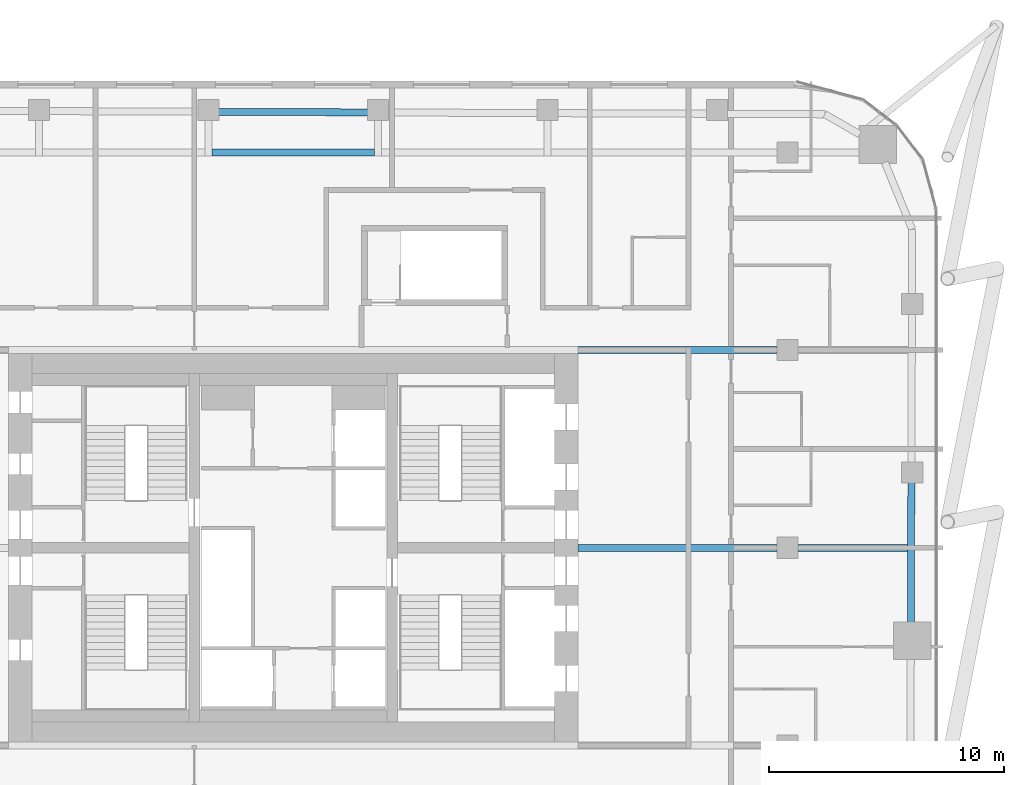
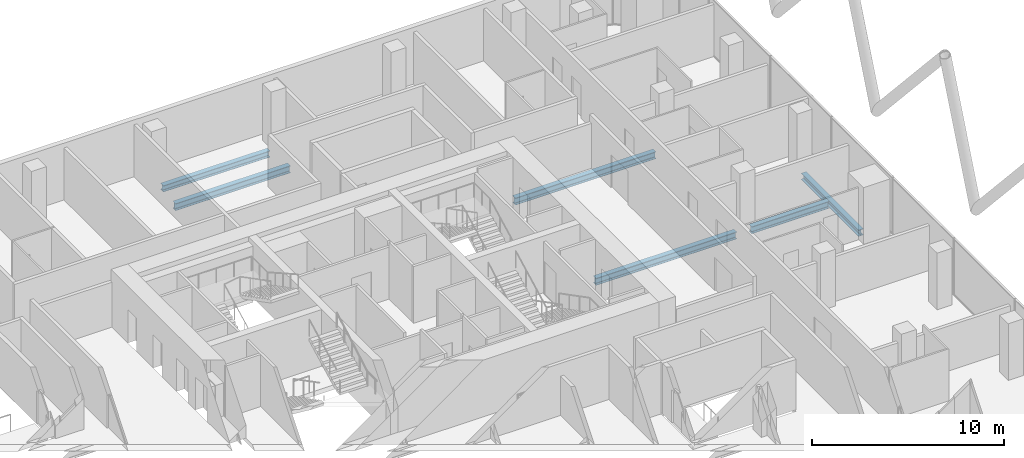
# One storey, part 13 of 34: 6 beams.
"""IFC4 building model written with IfcOpenShell, lengths in metres."""

from ifc_helpers import new_model, si_unit, direction, frame, origin, origin_2d, place, context, subcontext, project, spatial, i_section, extrude, material, material_profile, profile_set, type_object, element, save


model = new_model("IFC4")

# Units and contexts
model_context = context("Model", 3, precision=1e-05, world=origin(), true_north=direction((0.0, 1.0)))
body_context = subcontext(model_context, "Body", "Model", "MODEL_VIEW")
ifc_project = project(units=[si_unit("LENGTHUNIT", "METRE"), si_unit("AREAUNIT", "SQUARE_METRE"), si_unit("VOLUMEUNIT", "CUBIC_METRE"), si_unit("PLANEANGLEUNIT", "RADIAN"), si_unit("MASSUNIT", "GRAM", prefix="KILO")], contexts=[model_context])

# Site, building, storey
site_placement = place(None, origin())
site = spatial("IfcSite", under=ifc_project, at=site_placement, CompositionType="ELEMENT")
building_placement = place(site_placement, origin())
building = spatial("IfcBuilding", under=site, at=building_placement, Name="Marenta Gate Hotel Tower", CompositionType="ELEMENT")
storey_placement = place(building_placement, frame((0.0, 0.0, 166.10009765625)))
storey = spatial("IfcBuildingStorey", under=building, at=storey_placement, Name="L39", CompositionType="ELEMENT", Elevation=166.10009765625)

# Beams
ifc_material_1 = material(Name="Steel S355", Category="steel")
ifc_material_profile_1 = material_profile(ifc_material_1, i_section(OverallWidth=0.300048828125, OverallDepth=0.39990234375, WebThickness=0.013427734375, FlangeThickness=0.02392578125, FilletRadius=0.027099609375, at=origin_2d()), Name="HEB 400")
ifc_profile_set_1 = profile_set([ifc_material_profile_1], Name="Steel S355")
beam_type_1 = type_object("IfcBeamType", Name="Edge beam HEB 400", PredefinedType="SPANDREL", material=ifc_profile_set_1)
beam_1_placement = place(storey_placement, frame((-3.19140625, 26.926513671875, -0.460205078125), z_axis=(0.999991624938, -0.004092682982, 0.0), x_axis=(0.004092682982, 0.999991624938, 0.0)))
element("IfcBeam", 1, at=beam_1_placement, inside=storey, type_object=beam_type_1, Name="L39-EB-16", PredefinedType="SPANDREL", context=body_context, shape_type="SweptSolid", body=[
    extrude(i_section(OverallWidth=0.300048828125, OverallDepth=0.39990234375, WebThickness=0.013427734375, FlangeThickness=0.02392578125, FilletRadius=0.027099609375, at=origin_2d()), origin(), (0.0, 0.0, 1.0), 6.3828125),
])
beam_2_placement = place(storey_placement, frame((26.26416015625, 11.193115234375, -0.460205078125), z_axis=(-0.003305160059, -0.999994537944, 0.0), x_axis=(0.999994537944, -0.003305160059, 0.0)))
element("IfcBeam", 2, at=beam_2_placement, inside=storey, type_object=beam_type_1, Name="L39-EB-24", PredefinedType="SPANDREL", context=body_context, shape_type="SweptSolid", body=[
    extrude(i_section(OverallWidth=0.300048828125, OverallDepth=0.39990234375, WebThickness=0.013427734375, FlangeThickness=0.02392578125, FilletRadius=0.027099609375, at=origin_2d()), origin(), (0.0, 0.0, 1.0), 5.983154296875),
])
ifc_material_2 = material(Name="Steel S355", Category="steel")
ifc_material_profile_2 = material_profile(ifc_material_2, i_section(OverallWidth=0.300048828125, OverallDepth=0.449951171875, WebThickness=0.013916015625, FlangeThickness=0.02587890625, FilletRadius=0.027099609375, at=origin_2d()), Name="HEB 450")
ifc_profile_set_2 = profile_set([ifc_material_profile_2], Name="Steel S355")
beam_type_2 = type_object("IfcBeamType", Name="Girder HEB 450", PredefinedType="BEAM", material=ifc_profile_set_2)
beam_3_placement = place(storey_placement, frame((12.10009765625, 8.39990234375, -0.485107421875), z_axis=(1.0, 0.0, 0.0), x_axis=(0.0, 1.0, 0.0)))
element("IfcBeam", 3, at=beam_3_placement, inside=storey, type_object=beam_type_2, Name="L39-GD-22", PredefinedType="BEAM", context=body_context, shape_type="SweptSolid", body=[
    extrude(i_section(OverallWidth=0.300048828125, OverallDepth=0.449951171875, WebThickness=0.013916015625, FlangeThickness=0.02587890625, FilletRadius=0.027099609375, at=origin_2d()), origin(), (0.0, 0.0, 1.0), 8.449951171875),
])
beam_4_placement = place(storey_placement, frame((21.449951171875, 8.39990234375, -0.485107421875), z_axis=(1.0, 0.0, 0.0), x_axis=(0.0, 1.0, 0.0)))
element("IfcBeam", 4, at=beam_4_placement, inside=storey, type_object=beam_type_2, Name="L39-GD-23", PredefinedType="BEAM", context=body_context, shape_type="SweptSolid", body=[
    extrude(i_section(OverallWidth=0.300048828125, OverallDepth=0.449951171875, WebThickness=0.013916015625, FlangeThickness=0.02587890625, FilletRadius=0.027099609375, at=origin_2d()), origin(), (0.0, 0.0, 1.0), 4.655029296875),
])
beam_5_placement = place(storey_placement, frame((12.10009765625, 16.800048828125, -0.485107421875), z_axis=(1.0, 0.0, 0.0), x_axis=(0.0, 1.0, 0.0)))
element("IfcBeam", 5, at=beam_5_placement, inside=storey, type_object=beam_type_2, Name="L39-GD-27", PredefinedType="BEAM", context=body_context, shape_type="SweptSolid", body=[
    extrude(i_section(OverallWidth=0.300048828125, OverallDepth=0.449951171875, WebThickness=0.013916015625, FlangeThickness=0.02587890625, FilletRadius=0.027099609375, at=origin_2d()), origin(), (0.0, 0.0, 1.0), 8.449951171875),
])
beam_6_placement = place(storey_placement, frame((-3.451416015625, 25.199951171875, -0.485107421875), z_axis=(1.0, 0.0, 0.0), x_axis=(0.0, 1.0, 0.0)))
element("IfcBeam", 6, at=beam_6_placement, inside=storey, type_object=beam_type_2, Name="L39-GD-32", PredefinedType="BEAM", context=body_context, shape_type="SweptSolid", body=[
    extrude(i_section(OverallWidth=0.300048828125, OverallDepth=0.449951171875, WebThickness=0.013916015625, FlangeThickness=0.02587890625, FilletRadius=0.027099609375, at=origin_2d()), origin(), (0.0, 0.0, 1.0), 6.90283203125),
])

save(model, "model.ifc")
